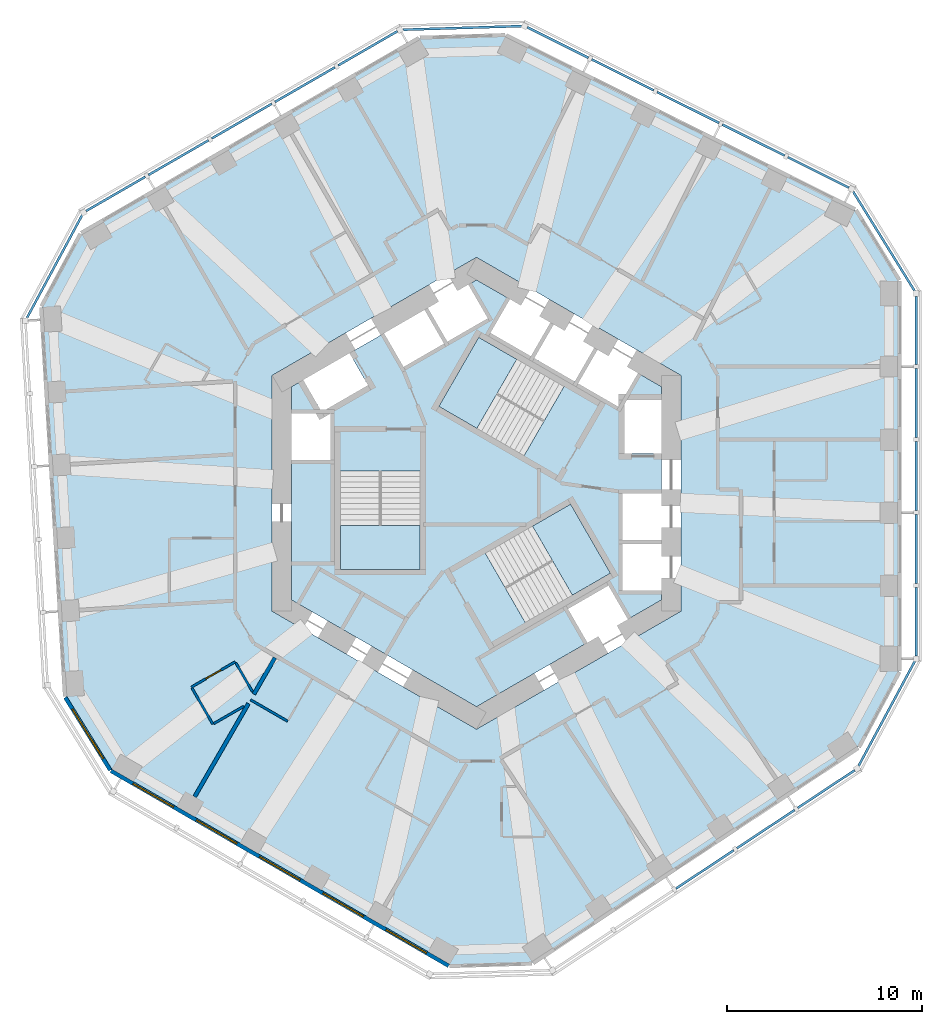
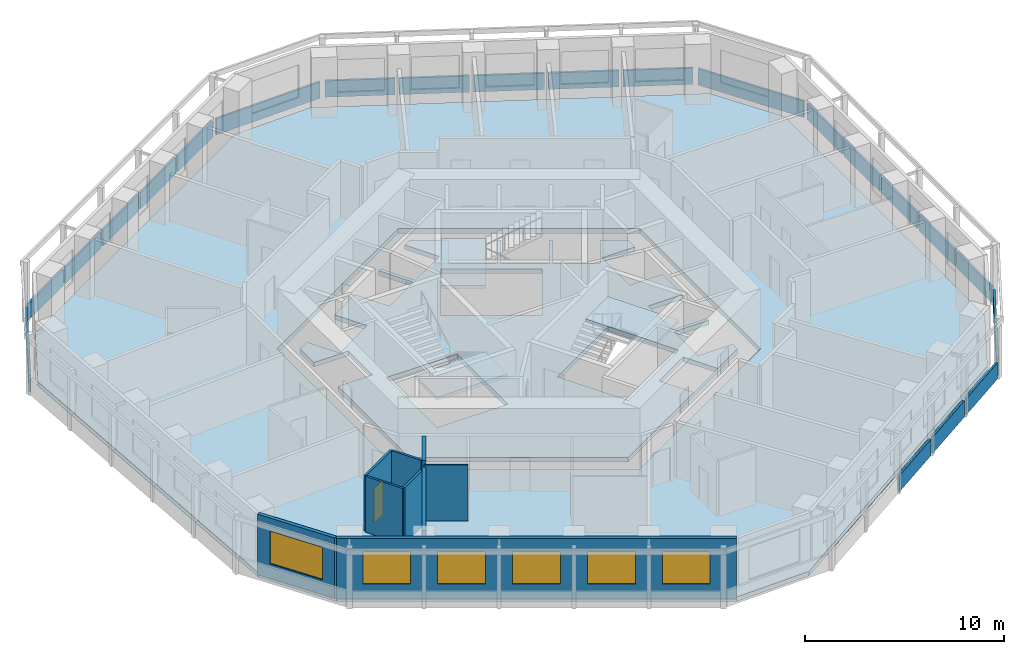
# One storey, part 3 of 11: 22 plates, 9 walls, 6 windows, 5 slabs, 1 door, 7 openings, 11 elements without a shape of their own.
"""IFC4 building model written with IfcOpenShell, lengths in metres."""

from ifc_helpers import new_model, si_unit, direction, frame, frame_2d, origin, origin_2d, place, context, subcontext, project, spatial, polyline, rectangle, outline, extrude, material, layer, layer_set, type_object, element, fill, aggregate, save


model = new_model("IFC4")

# Units and contexts
model_context = context("Model", 3, precision=1e-05, world=origin(), true_north=direction((0.0, 1.0)))
body_context = subcontext(model_context, "Body", "Model", "MODEL_VIEW")
ifc_project = project(units=[si_unit("LENGTHUNIT", "METRE"), si_unit("AREAUNIT", "SQUARE_METRE"), si_unit("VOLUMEUNIT", "CUBIC_METRE"), si_unit("PLANEANGLEUNIT", "RADIAN"), si_unit("MASSUNIT", "GRAM", prefix="KILO")], contexts=[model_context])

# Site, building, storey
site_placement = place(None, origin())
site = spatial("IfcSite", under=ifc_project, at=site_placement, CompositionType="ELEMENT")
building_placement = place(site_placement, origin())
building = spatial("IfcBuilding", under=site, at=building_placement, Name="Vanh Sen Convention Tower", CompositionType="ELEMENT")
storey_placement = place(building_placement, frame((0.0, 0.0, 131.800048828125)))
storey = spatial("IfcBuildingStorey", under=building, at=storey_placement, Name="L32", CompositionType="ELEMENT", Elevation=131.800048828125)

# Slabs
ifc_material_1 = material(Name="Concrete C40/50", Category="concrete")
ifc_layer_1 = layer(ifc_material_1, 0.280029296875)
ifc_layer_set_1 = layer_set([ifc_layer_1], Name="Concrete C40/50")
slab_type_1 = type_object("IfcSlabType", Name="Core slab 280", PredefinedType="FLOOR", material=ifc_layer_set_1)
slab_1_placement = place(storey_placement, frame((0.0, 0.0, -0.280029296875)))
element("IfcSlab", 1, at=slab_1_placement, inside=storey, type_object=slab_type_1, Name="Core slab L32", PredefinedType="FLOOR", context=body_context, shape_type="SweptSolid", body=[
    extrude(outline(polyline([(9.5, 5.48486328125), (9.5, 4.800048828125), (7.60009765625, 4.800048828125), (7.60009765625, 2.050048828125), (9.5, 2.050048828125), (9.5, 0.0), (7.5, 0.0), (7.5, -2.39990234375), (9.5, -2.39990234375), (9.5, -2.60009765625), (7.5, -2.60009765625), (7.5, -5.0), (9.5, -5.0), (9.5, -5.48486328125), (0.0, -10.9697265625), (-9.5, -5.48486328125), (-9.5, 1.699951171875), (-7.5, 1.699951171875), (-7.5, 4.10009765625), (-9.5, 4.10009765625), (-9.5, 5.48486328125), (-8.906982421875, 5.8271484375), (-7.956787109375, 4.181884765625), (-5.575439453125, 5.556884765625), (-6.525390625, 7.2021484375), (-4.75, 8.227294921875), (-3.75, 6.4951171875), (-1.67138671875, 7.6953125), (-2.67138671875, 9.42724609375), (-2.498291015625, 9.527099609375), (-1.498291015625, 7.795166015625), (0.580078125, 8.9951171875), (-0.419921875, 10.727294921875), (0.0, 10.9697265625), (1.718994140625, 9.977294921875), (0.718994140625, 8.2451171875), (2.79736328125, 7.045166015625), (3.79736328125, 8.777099609375), (3.970703125, 8.67724609375), (2.970703125, 6.9453125), (5.049072265625, 5.7451171875), (6.049072265625, 7.477294921875), (6.22216796875, 7.377197265625), (5.22216796875, 5.645263671875), (7.30078125, 4.4453125), (8.30078125, 6.17724609375), (9.5, 5.48486328125)]), holes=[polyline([(-7.0, 3.14990234375), (-7.0, -3.909912109375), (-2.89990234375, -3.909912109375), (-2.89990234375, 3.14990234375), (-2.89990234375, 1.1494140625), (-7.0, 1.1494140625), (-7.0, 3.14990234375)]), polyline([(4.495361328125, 5.487548828125), (6.22802734375, 4.4873046875), (0.11376953125, 8.01708984375), (-1.936279296875, 4.466552734375), (2.4453125, 1.936767578125), (4.495361328125, 5.487548828125)]), polyline([(7.781005859375, -6.477294921875), (6.781005859375, -4.7451171875), (4.70263671875, -5.9453125), (5.70263671875, -7.67724609375), (7.781005859375, -6.477294921875)]), polyline([(0.45458984375, -3.086181640625), (2.504638671875, -6.63671875), (6.88623046875, -4.107177734375), (4.836181640625, -0.556396484375), (-1.278076171875, -4.08642578125), (0.45458984375, -3.086181640625)])]), origin(), (0.0, 0.0, 1.0), 0.280029296875),
])
ifc_layer_2 = layer(ifc_material_1, 0.280029296875)
ifc_layer_set_2 = layer_set([ifc_layer_2], Name="Concrete C40/50")
slab_type_2 = type_object("IfcSlabType", Name="Floor slab 280 REI 120", PredefinedType="FLOOR", material=ifc_layer_set_2)
slab_2_placement = place(storey_placement, frame((0.0, 0.0, -0.280029296875)))
element("IfcSlab", 2, at=slab_2_placement, inside=storey, type_object=slab_type_2, Name="Floor slab L32 tower", PredefinedType="FLOOR", context=body_context, shape_type="SweptSolid", body=[
    extrude(outline(polyline([(21.699951171875, -9.15087890625), (21.699951171875, 10.91943359375), (19.454833984375, 14.5478515625), (1.492919921875, 23.503173828125), (-2.925048828125, 23.368408203125), (-20.306640625, 13.3330078125), (-22.326171875, 9.574462890625), (-21.100830078125, -10.458740234375), (-18.77490234375, -14.21728515625), (-1.393310546875, -24.25244140625), (2.871337890625, -24.122314453125), (19.60791015625, -13.04443359375), (21.699951171875, -9.15087890625)]), holes=[polyline([(0.0, 12.12451171875), (-10.5, 6.062255859375), (-10.5, -6.062255859375), (0.0, -12.12451171875), (10.5, -6.062255859375), (10.5, 6.062255859375), (0.0, 12.12451171875)])]), origin(), (0.0, 0.0, 1.0), 0.280029296875),
])

# Curtain wall, plates
ifc_material_2 = material(Name="Concrete C50/60", Category="concrete")
curtain_wall_type = type_object("IfcCurtainWallType", Name="Outer skin office zone", PredefinedType="NOTDEFINED", material=ifc_material_2)
curtain_wall_1_placement = place(storey_placement, origin())
curtain_wall_1 = element("IfcCurtainWall", 3, at=curtain_wall_1_placement, inside=storey, type_object=curtain_wall_type, Name="OUTER SKIN E L32", PredefinedType="NOTDEFINED")
ifc_layer_3 = layer(ifc_material_2, 0.1201171875)
ifc_layer_set_3 = layer_set([ifc_layer_3], Name="Concrete C50/60")
plate_type = type_object("IfcPlateType", Name="Outer skin precast screen panel 120", PredefinedType="CURTAIN_PANEL", material=ifc_layer_set_3)
plate_1_placement = place(storey_placement, frame((22.60009765625, -6.59912109375, 0.0), z_axis=(0.0, 0.0, 1.0), x_axis=(0.0, 1.0, 0.0)))
plate_1 = element("IfcPlate", 4, at=plate_1_placement, type_object=plate_type, Name="OUTER SKIN screen panel E-1", PredefinedType="CURTAIN_PANEL", context=body_context, shape_type="SweptSolid", body=[
    extrude(rectangle(XDim=3.504150390625, YDim=0.1201171875, at=origin_2d()), origin(), (0.0, 0.0, 1.0), 1.0),
])
plate_2_placement = place(storey_placement, frame((22.60009765625, -2.869873046875, 0.0), z_axis=(0.0, 0.0, 1.0), x_axis=(0.0, 1.0, 0.0)))
plate_2 = element("IfcPlate", 5, at=plate_2_placement, type_object=plate_type, Name="OUTER SKIN screen panel E-2", PredefinedType="CURTAIN_PANEL", context=body_context, shape_type="SweptSolid", body=[
    extrude(rectangle(XDim=3.55419921875, YDim=0.1201171875, at=origin_2d()), origin(), (0.0, 0.0, 1.0), 1.0),
])
plate_3_placement = place(storey_placement, frame((22.60009765625, 0.88427734375, 0.0), z_axis=(0.0, 0.0, 1.0), x_axis=(0.0, 1.0, 0.0)))
plate_3 = element("IfcPlate", 6, at=plate_3_placement, type_object=plate_type, Name="OUTER SKIN screen panel E-3", PredefinedType="CURTAIN_PANEL", context=body_context, shape_type="SweptSolid", body=[
    extrude(rectangle(XDim=3.55419921875, YDim=0.1201171875, at=origin_2d()), origin(), (0.0, 0.0, 1.0), 1.0),
])
plate_4_placement = place(storey_placement, frame((22.60009765625, 4.63818359375, 0.0), z_axis=(0.0, 0.0, 1.0), x_axis=(0.0, 1.0, 0.0)))
plate_4 = element("IfcPlate", 7, at=plate_4_placement, type_object=plate_type, Name="OUTER SKIN screen panel E-4", PredefinedType="CURTAIN_PANEL", context=body_context, shape_type="SweptSolid", body=[
    extrude(rectangle(XDim=3.55419921875, YDim=0.1201171875, at=origin_2d()), origin(), (0.0, 0.0, 1.0), 1.0),
])
plate_5_placement = place(storey_placement, frame((22.60009765625, 8.367431640625, 0.0), z_axis=(0.0, 0.0, 1.0), x_axis=(0.0, 1.0, 0.0)))
plate_5 = element("IfcPlate", 8, at=plate_5_placement, type_object=plate_type, Name="OUTER SKIN screen panel E-5", PredefinedType="CURTAIN_PANEL", context=body_context, shape_type="SweptSolid", body=[
    extrude(rectangle(XDim=3.504150390625, YDim=0.1201171875, at=origin_2d()), origin(), (0.0, 0.0, 1.0), 1.0),
])
aggregate(curtain_wall_1, [plate_1, plate_2, plate_3, plate_4, plate_5])

# Curtain wall, plate
curtain_wall_2_placement = place(storey_placement, origin())
curtain_wall_2 = element("IfcCurtainWall", 9, at=curtain_wall_2_placement, inside=storey, type_object=curtain_wall_type, Name="OUTER SKIN CH1 L32", PredefinedType="NOTDEFINED")
plate_6_placement = place(storey_placement, frame((20.937255859375, 12.956298828125, 0.0), z_axis=(0.0, 0.0, 1.0), x_axis=(-0.5262035346, 0.850358653848, 0.0)))
plate_6 = element("IfcPlate", 10, at=plate_6_placement, type_object=plate_type, Name="OUTER SKIN screen panel CH1-1", PredefinedType="CURTAIN_PANEL", context=body_context, shape_type="SweptSolid", body=[
    extrude(rectangle(XDim=6.01953125, YDim=0.1201171875, at=origin_2d()), origin(), (0.0, 0.0, 1.0), 1.0),
])
aggregate(curtain_wall_2, [plate_6])

# Curtain wall, plates
curtain_wall_3_placement = place(storey_placement, origin())
curtain_wall_3 = element("IfcCurtainWall", 11, at=curtain_wall_3_placement, inside=storey, type_object=curtain_wall_type, Name="OUTER SKIN NE L32", PredefinedType="NOTDEFINED")
plate_7_placement = place(storey_placement, frame((17.572509765625, 16.491943359375, 0.0), z_axis=(0.0, 0.0, 1.0), x_axis=(-0.894943706551, 0.446179069551, 0.0)))
plate_7 = element("IfcPlate", 12, at=plate_7_placement, type_object=plate_type, Name="OUTER SKIN screen panel NE-1", PredefinedType="CURTAIN_PANEL", context=body_context, shape_type="SweptSolid", body=[
    extrude(rectangle(XDim=3.504150390625, YDim=0.1201171875, at=origin_2d()), origin(), (0.0, 0.0, 1.0), 1.0),
])
plate_8_placement = place(storey_placement, frame((14.235107421875, 18.156005859375, 0.0), z_axis=(0.0, 0.0, 1.0), x_axis=(-0.894932804072, 0.446200937017, 0.0)))
plate_8 = element("IfcPlate", 13, at=plate_8_placement, type_object=plate_type, Name="OUTER SKIN screen panel NE-2", PredefinedType="CURTAIN_PANEL", context=body_context, shape_type="SweptSolid", body=[
    extrude(rectangle(XDim=3.55419921875, YDim=0.1201171875, at=origin_2d()), origin(), (0.0, 0.0, 1.0), 1.0),
])
plate_9_placement = place(storey_placement, frame((10.87548828125, 19.8310546875, 0.0), z_axis=(0.0, 0.0, 1.0), x_axis=(-0.894932804072, 0.446200937017, 0.0)))
plate_9 = element("IfcPlate", 14, at=plate_9_placement, type_object=plate_type, Name="OUTER SKIN screen panel NE-3", PredefinedType="CURTAIN_PANEL", context=body_context, shape_type="SweptSolid", body=[
    extrude(rectangle(XDim=3.55419921875, YDim=0.1201171875, at=origin_2d()), origin(), (0.0, 0.0, 1.0), 1.0),
])
plate_10_placement = place(storey_placement, frame((7.515625, 21.506103515625, 0.0), z_axis=(0.0, 0.0, 1.0), x_axis=(-0.894932804072, 0.446200937017, 0.0)))
plate_10 = element("IfcPlate", 15, at=plate_10_placement, type_object=plate_type, Name="OUTER SKIN screen panel NE-4", PredefinedType="CURTAIN_PANEL", context=body_context, shape_type="SweptSolid", body=[
    extrude(rectangle(XDim=3.55419921875, YDim=0.1201171875, at=origin_2d()), origin(), (0.0, 0.0, 1.0), 1.0),
])
plate_11_placement = place(storey_placement, frame((4.178466796875, 23.169921875, 0.0), z_axis=(0.0, 0.0, 1.0), x_axis=(-0.894943706551, 0.446179069551, 0.0)))
plate_11 = element("IfcPlate", 16, at=plate_11_placement, type_object=plate_type, Name="OUTER SKIN screen panel NE-5", PredefinedType="CURTAIN_PANEL", context=body_context, shape_type="SweptSolid", body=[
    extrude(rectangle(XDim=3.504150390625, YDim=0.1201171875, at=origin_2d()), origin(), (0.0, 0.0, 1.0), 1.0),
])
aggregate(curtain_wall_3, [plate_7, plate_8, plate_9, plate_10, plate_11])

# Curtain wall, plate
curtain_wall_4_placement = place(storey_placement, origin())
curtain_wall_4 = element("IfcCurtainWall", 17, at=curtain_wall_4_placement, inside=storey, type_object=curtain_wall_type, Name="OUTER SKIN CH2 L32", PredefinedType="NOTDEFINED")
plate_12_placement = place(storey_placement, frame((-0.73095703125, 23.920654296875, 0.0), z_axis=(0.0, 0.0, 1.0), x_axis=(-0.999533590837, -0.03053851321, 0.0)))
plate_12 = element("IfcPlate", 18, at=plate_12_placement, type_object=plate_type, Name="OUTER SKIN screen panel CH2-1", PredefinedType="CURTAIN_PANEL", context=body_context, shape_type="SweptSolid", body=[
    extrude(rectangle(XDim=6.1171875, YDim=0.1201171875, at=origin_2d()), origin(), (0.0, 0.0, 1.0), 1.0),
])
aggregate(curtain_wall_4, [plate_12])

# Curtain wall, plates
curtain_wall_5_placement = place(storey_placement, origin())
curtain_wall_5 = element("IfcCurtainWall", 19, at=curtain_wall_5_placement, inside=storey, type_object=curtain_wall_type, Name="OUTER SKIN NW L32", PredefinedType="NOTDEFINED")
plate_13_placement = place(storey_placement, frame((-5.585205078125, 22.87158203125, 0.0), z_axis=(0.0, 0.0, 1.0), x_axis=(-0.866035002936, -0.499983373414, 0.0)))
plate_13 = element("IfcPlate", 20, at=plate_13_placement, type_object=plate_type, Name="OUTER SKIN screen panel NW-1", PredefinedType="CURTAIN_PANEL", context=body_context, shape_type="SweptSolid", body=[
    extrude(rectangle(XDim=3.504150390625, YDim=0.1201171875, at=origin_2d()), origin(), (0.0, 0.0, 1.0), 1.0),
])
plate_14_placement = place(storey_placement, frame((-8.814697265625, 21.007080078125, 0.0), z_axis=(0.0, 0.0, 1.0), x_axis=(-0.866016677006, -0.500015114919, 0.0)))
plate_14 = element("IfcPlate", 21, at=plate_14_placement, type_object=plate_type, Name="OUTER SKIN screen panel NW-2", PredefinedType="CURTAIN_PANEL", context=body_context, shape_type="SweptSolid", body=[
    extrude(rectangle(XDim=3.55419921875, YDim=0.1201171875, at=origin_2d()), origin(), (0.0, 0.0, 1.0), 1.0),
])
plate_15_placement = place(storey_placement, frame((-12.06591796875, 19.1298828125, 0.0), z_axis=(0.0, 0.0, 1.0), x_axis=(-0.866035002936, -0.499983373414, 0.0)))
plate_15 = element("IfcPlate", 22, at=plate_15_placement, type_object=plate_type, Name="OUTER SKIN screen panel NW-3", PredefinedType="CURTAIN_PANEL", context=body_context, shape_type="SweptSolid", body=[
    extrude(rectangle(XDim=3.55419921875, YDim=0.1201171875, at=origin_2d()), origin(), (0.0, 0.0, 1.0), 1.0),
])
plate_16_placement = place(storey_placement, frame((-15.31689453125, 17.2529296875, 0.0), z_axis=(0.0, 0.0, 1.0), x_axis=(-0.866016677006, -0.500015114919, 0.0)))
plate_16 = element("IfcPlate", 23, at=plate_16_placement, type_object=plate_type, Name="OUTER SKIN screen panel NW-4", PredefinedType="CURTAIN_PANEL", context=body_context, shape_type="SweptSolid", body=[
    extrude(rectangle(XDim=3.55419921875, YDim=0.1201171875, at=origin_2d()), origin(), (0.0, 0.0, 1.0), 1.0),
])
plate_17_placement = place(storey_placement, frame((-18.54638671875, 15.388427734375, 0.0), z_axis=(0.0, 0.0, 1.0), x_axis=(-0.866035002936, -0.499983373414, 0.0)))
plate_17 = element("IfcPlate", 24, at=plate_17_placement, type_object=plate_type, Name="OUTER SKIN screen panel NW-5", PredefinedType="CURTAIN_PANEL", context=body_context, shape_type="SweptSolid", body=[
    extrude(rectangle(XDim=3.504150390625, YDim=0.1201171875, at=origin_2d()), origin(), (0.0, 0.0, 1.0), 1.0),
])
aggregate(curtain_wall_5, [plate_13, plate_14, plate_15, plate_16, plate_17])

# Curtain wall, plate
curtain_wall_6_placement = place(storey_placement, origin())
curtain_wall_6 = element("IfcCurtainWall", 25, at=curtain_wall_6_placement, inside=storey, type_object=curtain_wall_type, Name="OUTER SKIN CH3 L32", PredefinedType="NOTDEFINED")
plate_18_placement = place(storey_placement, frame((-21.689208984375, 11.654052734375, 0.0), z_axis=(0.0, 0.0, 1.0), x_axis=(-0.47331812974, -0.880891564303, 0.0)))
plate_18 = element("IfcPlate", 26, at=plate_18_placement, type_object=plate_type, Name="OUTER SKIN screen panel CH3-1", PredefinedType="CURTAIN_PANEL", context=body_context, shape_type="SweptSolid", body=[
    extrude(rectangle(XDim=6.019287109375, YDim=0.1201171875, at=origin_2d()), origin(), (0.0, 0.0, 1.0), 1.0),
])
aggregate(curtain_wall_6, [plate_18])

# Curtain wall, plates
curtain_wall_7_placement = place(storey_placement, origin())
curtain_wall_7 = element("IfcCurtainWall", 27, at=curtain_wall_7_placement, inside=storey, type_object=curtain_wall_type, Name="OUTER SKIN SE L32", PredefinedType="NOTDEFINED")
plate_19_placement = place(storey_placement, frame((11.736328125, -19.333984375, 0.0), z_axis=(0.0, 0.0, 1.0), x_axis=(0.833877152158, 0.551950083892, 0.0)))
plate_19 = element("IfcPlate", 28, at=plate_19_placement, type_object=plate_type, Name="OUTER SKIN screen panel SE-3", PredefinedType="CURTAIN_PANEL", context=body_context, shape_type="SweptSolid", body=[
    extrude(rectangle(XDim=3.55419921875, YDim=0.1201171875, at=origin_2d()), origin(), (0.0, 0.0, 1.0), 1.0),
])
plate_20_placement = place(storey_placement, frame((14.866943359375, -17.26171875, 0.0), z_axis=(0.0, 0.0, 1.0), x_axis=(0.833889675294, 0.551931163677, 0.0)))
plate_20 = element("IfcPlate", 29, at=plate_20_placement, type_object=plate_type, Name="OUTER SKIN screen panel SE-4", PredefinedType="CURTAIN_PANEL", context=body_context, shape_type="SweptSolid", body=[
    extrude(rectangle(XDim=3.55419921875, YDim=0.1201171875, at=origin_2d()), origin(), (0.0, 0.0, 1.0), 1.0),
])
plate_21_placement = place(storey_placement, frame((17.9765625, -15.20361328125, 0.0), z_axis=(0.0, 0.0, 1.0), x_axis=(0.833889675294, 0.551931163677, 0.0)))
plate_21 = element("IfcPlate", 30, at=plate_21_placement, type_object=plate_type, Name="OUTER SKIN screen panel SE-5", PredefinedType="CURTAIN_PANEL", context=body_context, shape_type="SweptSolid", body=[
    extrude(rectangle(XDim=3.504150390625, YDim=0.1201171875, at=origin_2d()), origin(), (0.0, 0.0, 1.0), 1.0),
])
aggregate(curtain_wall_7, [plate_19, plate_20, plate_21])

# Curtain wall, plate
curtain_wall_8_placement = place(storey_placement, origin())
curtain_wall_8 = element("IfcCurtainWall", 31, at=curtain_wall_8_placement, inside=storey, type_object=curtain_wall_type, Name="OUTER SKIN CH6 L32", PredefinedType="NOTDEFINED")
plate_22_placement = place(storey_placement, frame((21.081298828125, -11.327392578125, 0.0), z_axis=(0.0, 0.0, 1.0), x_axis=(0.473321204628, 0.880889912105, 0.0)))
plate_22 = element("IfcPlate", 32, at=plate_22_placement, type_object=plate_type, Name="OUTER SKIN screen panel CH6-1", PredefinedType="CURTAIN_PANEL", context=body_context, shape_type="SweptSolid", body=[
    extrude(rectangle(XDim=6.1171875, YDim=0.1201171875, at=origin_2d()), origin(), (0.0, 0.0, 1.0), 1.0),
])
aggregate(curtain_wall_8, [plate_22])

# Stair, slab
ifc_material_3 = material(Name="Concrete C50/60", Category="concrete")
stair_type_1 = type_object("IfcStairType", Name="Exit stair ST1 22 risers at 168.2", PredefinedType="HALF_TURN_STAIR", material=ifc_material_3)
stair_1_placement = place(storey_placement, origin())
stair_1 = element("IfcStair", 33, at=stair_1_placement, inside=storey, type_object=stair_type_1, Name="Exit stair ST1 L32", PredefinedType="HALF_TURN_STAIR")
ifc_layer_4 = layer(ifc_material_1, 0.199951171875)
ifc_layer_set_4 = layer_set([ifc_layer_4], Name="Concrete C40/50")
slab_type_3 = type_object("IfcSlabType", Name="Stair landing 200", PredefinedType="LANDING", material=ifc_layer_set_4)
slab_3_placement = place(storey_placement, frame((0.0, 0.0, 1.64990234375)))
slab_3 = element("IfcSlab", 34, at=slab_3_placement, type_object=slab_type_3, Name="ST1 landing 1", PredefinedType="LANDING", context=body_context, shape_type="SweptSolid", body=[
    extrude(outline(polyline([(2.07177734375, 6.88671875), (0.11376953125, 8.01708984375), (-1.936279296875, 4.466552734375), (0.021728515625, 3.336181640625), (2.07177734375, 6.88671875)])), origin(), (0.0, 0.0, 1.0), 0.199951171875),
])
aggregate(stair_1, [slab_3])

stair_type_2 = type_object("IfcStairType", Name="Exit stair ST2 22 risers at 168.2", PredefinedType="HALF_TURN_STAIR", material=ifc_material_3)
stair_2_placement = place(storey_placement, origin())
stair_2 = element("IfcStair", 35, at=stair_2_placement, inside=storey, type_object=stair_type_2, Name="Exit stair ST2 L32", PredefinedType="HALF_TURN_STAIR")
slab_4_placement = place(storey_placement, frame((0.0, 0.0, 1.64990234375)))
slab_4 = element("IfcSlab", 36, at=slab_4_placement, type_object=slab_type_3, Name="ST2 landing 1", PredefinedType="LANDING", context=body_context, shape_type="SweptSolid", body=[
    extrude(outline(polyline([(-7.0, -1.6494140625), (-7.0, -3.909912109375), (-2.89990234375, -3.909912109375), (-2.89990234375, -1.6494140625), (-7.0, -1.6494140625)])), origin(), (0.0, 0.0, 1.0), 0.199951171875),
])
aggregate(stair_2, [slab_4])

stair_type_3 = type_object("IfcStairType", Name="Exit stair ST3 22 risers at 168.2", PredefinedType="HALF_TURN_STAIR", material=ifc_material_3)
stair_3_placement = place(storey_placement, origin())
stair_3 = element("IfcStair", 37, at=stair_3_placement, inside=storey, type_object=stair_type_3, Name="Exit stair ST3 L32", PredefinedType="HALF_TURN_STAIR")
slab_5_placement = place(storey_placement, frame((0.0, 0.0, 1.64990234375)))
slab_5 = element("IfcSlab", 38, at=slab_5_placement, type_object=slab_type_3, Name="ST3 landing 1", PredefinedType="LANDING", context=body_context, shape_type="SweptSolid", body=[
    extrude(outline(polyline([(4.92822265625, -5.237548828125), (6.88623046875, -4.107177734375), (4.836181640625, -0.556396484375), (2.87841796875, -1.686767578125), (4.92822265625, -5.237548828125)])), origin(), (0.0, 0.0, 1.0), 0.199951171875),
])
aggregate(stair_3, [slab_5])

# Wall, opening, door
ifc_material_4 = material(Name="Moisture-resistant gypsum board on steel studs", Category="steel")
ifc_layer_5 = layer(ifc_material_4, 0.1201171875)
ifc_layer_set_5 = layer_set([ifc_layer_5], Name="Moisture-resistant gypsum board on steel studs")
wall_type_1 = type_object("IfcWallType", Name="Bathroom partition 120", PredefinedType="PARTITIONING", material=ifc_layer_set_5)
wall_1_placement = place(storey_placement, frame((-14.652587890625, -9.960693359375, 0.0), z_axis=(0.0, 0.0, 1.0), x_axis=(0.866021400173, 0.500006934395, 0.0)))
wall_1 = element("IfcWall", 39, at=wall_1_placement, inside=storey, type_object=wall_type_1, Name="Bathroom partition 120", PredefinedType="PARTITIONING", context=body_context, shape_type="SweptSolid", body=[
    extrude(rectangle(XDim=2.60009765625, YDim=0.1201171875, at=frame_2d((1.300048828125, 0.0))), origin(), (0.0, 0.0, 1.0), 3.419921875),
])
opening_1_placement = place(wall_1_placement, frame((0.85009765625, 0.0, 0.0)))
opening_1 = element("IfcOpeningElement", 40, at=opening_1_placement, cuts=wall_1, Name="Opening D32121", PredefinedType="OPENING", context=body_context, shape_type="SweptSolid", body=[
    extrude(rectangle(XDim=0.89990234375, YDim=2.10009765625, at=frame_2d((0.449951171875, 1.050048828125))), frame((0.0, 0.070068359375, 0.0), z_axis=(0.0, -1.0, 0.0), x_axis=(1.0, 0.0, 0.0)), (0.0, 0.0, 1.0), 0.14013671875),
])
ifc_material_5 = material(Name="Laminate door in steel frame", Category="steel")
door_type = type_object("IfcDoorType", Name="Room internal door 900", OperationType="SINGLE_SWING_LEFT", PredefinedType="DOOR", material=ifc_material_5)
door_placement = place(opening_1_placement, origin())
door = element("IfcDoor", 41, at=door_placement, inside=storey, type_object=door_type, Name="Internal room door D32121", OperationType="SINGLE_SWING_LEFT", OverallHeight=2.10009765625, OverallWidth=0.89990234375, PredefinedType="DOOR", context=body_context, shape_type="SweptSolid", body=[
    extrude(rectangle(XDim=0.89990234375, YDim=2.10009765625, at=frame_2d((0.449951171875, 1.050048828125))), frame((0.0, 0.02490234375, 0.0), z_axis=(0.0, -1.0, 0.0), x_axis=(1.0, 0.0, 0.0)), (0.0, 0.0, 1.0), 0.050048828125),
])
fill(opening_1, door)

# Walls
wall_2_placement = place(storey_placement, frame((-13.552490234375, -11.865966796875, 0.0), z_axis=(0.0, 0.0, 1.0), x_axis=(-0.500028586798, 0.86600889856, 0.0)))
element("IfcWall", 42, at=wall_2_placement, inside=storey, type_object=wall_type_1, Name="Bathroom partition 120", PredefinedType="PARTITIONING", context=body_context, shape_type="SweptSolid", body=[
    extrude(rectangle(XDim=2.139892578125, YDim=0.1201171875, at=frame_2d((1.06982421875, 0.0))), origin(), (0.0, 0.0, 1.0), 3.419921875),
])
wall_3_placement = place(storey_placement, frame((-12.370849609375, -8.712646484375, 0.0), z_axis=(0.0, 0.0, 1.0), x_axis=(0.499910907645, -0.86607683517, 0.0)))
element("IfcWall", 43, at=wall_3_placement, inside=storey, type_object=wall_type_1, Name="Bathroom partition 120", PredefinedType="PARTITIONING", context=body_context, shape_type="SweptSolid", body=[
    extrude(rectangle(XDim=1.719482421875, YDim=0.1201171875, at=frame_2d((0.85986328125, 0.0))), origin(), (0.0, 0.0, 1.0), 3.419921875),
])
wall_4_placement = place(storey_placement, frame((-11.96435546875, -10.948974609375, 0.0), z_axis=(0.0, 0.0, 1.0), x_axis=(-0.86600680221, -0.500032217487, 0.0)))
element("IfcWall", 44, at=wall_4_placement, inside=storey, type_object=wall_type_1, Name="Bathroom partition 120", PredefinedType="PARTITIONING", context=body_context, shape_type="SweptSolid", body=[
    extrude(rectangle(XDim=1.77392578125, YDim=0.1201171875, at=frame_2d((0.886962890625, 0.0))), origin(), (0.0, 0.0, 1.0), 3.419921875),
])
wall_5_placement = place(storey_placement, frame((-9.705810546875, -11.717041015625, 0.0), z_axis=(0.0, 0.0, 1.0), x_axis=(-0.86598042715, 0.500077893725, 0.0)))
element("IfcWall", 45, at=wall_5_placement, inside=storey, type_object=wall_type_1, Name="Bathroom partition 120", PredefinedType="PARTITIONING", context=body_context, shape_type="SweptSolid", body=[
    extrude(rectangle(XDim=2.199951171875, YDim=0.1201171875, at=frame_2d((1.10009765625, 0.0))), origin(), (0.0, 0.0, 1.0), 3.419921875),
])

# Wall, opening, window
ifc_material_6 = material(Name="Insulated lightweight infill wall")
ifc_layer_6 = layer(ifc_material_6, 0.199951171875)
ifc_layer_set_6 = layer_set([ifc_layer_6], Name="Insulated lightweight infill wall")
wall_type_2 = type_object("IfcWallType", Name="External wall 200", PredefinedType="STANDARD", material=ifc_layer_set_6)
wall_6_placement = place(storey_placement, frame((-21.13671875, -10.49560546875, 0.0), z_axis=(0.0, 0.0, 1.0), x_axis=(0.526178661629, -0.850374044786, 0.0)))
wall_6 = element("IfcWall", 46, at=wall_6_placement, inside=storey, type_object=wall_type_2, Name="External wall CH4 L32", PredefinedType="STANDARD", context=body_context, shape_type="SweptSolid", body=[
    extrude(rectangle(XDim=4.394775390625, YDim=0.199951171875, at=frame_2d((2.197265625, 0.0))), origin(), (0.0, 0.0, 1.0), 3.699951171875),
])
opening_2_placement = place(wall_6_placement, frame((0.697509765625, 0.0, 0.89990234375)))
opening_2 = element("IfcOpeningElement", 47, at=opening_2_placement, cuts=wall_6, Name="Opening WO2-CH41", PredefinedType="OPENING", context=body_context, shape_type="SweptSolid", body=[
    extrude(rectangle(XDim=3.0, YDim=2.0, at=frame_2d((1.5, 1.0))), frame((0.0, 0.10986328125, 0.0), z_axis=(0.0, -1.0, 0.0), x_axis=(1.0, 0.0, 0.0)), (0.0, 0.0, 1.0), 0.219970703125),
])
ifc_material_7 = material(Name="Aluminium frame with clear low-emissivity glass", Category="aluminium")
window_type_1 = type_object("IfcWindowType", Name="Office window 3000 x 2000", PartitioningType="SINGLE_PANEL", PredefinedType="WINDOW", material=ifc_material_7)
window_1_placement = place(opening_2_placement, origin())
window_1 = element("IfcWindow", 48, at=window_1_placement, inside=storey, type_object=window_type_1, Name="Window WO2-CH41", OverallHeight=2.0, OverallWidth=3.0, PartitioningType="SINGLE_PANEL", PredefinedType="WINDOW", context=body_context, shape_type="SweptSolid", body=[
    extrude(rectangle(XDim=3.0, YDim=2.0, at=frame_2d((1.5, 1.0))), frame((0.0, 0.030029296875, 0.0), z_axis=(0.0, -1.0, 0.0), x_axis=(1.0, 0.0, 0.0)), (0.0, 0.0, 1.0), 0.06005859375),
])
fill(opening_2, window_1)

# Wall, openings, windows
wall_7_placement = place(storey_placement, frame((-18.7890625, -14.266845703125, 0.0), z_axis=(0.0, 0.0, 1.0), x_axis=(0.866023315909, -0.500003616288, 0.0)))
wall_7 = element("IfcWall", 49, at=wall_7_placement, inside=storey, type_object=wall_type_2, Name="External wall SW L32", PredefinedType="STANDARD", context=body_context, shape_type="SweptSolid", body=[
    extrude(rectangle(XDim=20.043701171875, YDim=0.199951171875, at=frame_2d((10.02197265625, 0.0))), origin(), (0.0, 0.0, 1.0), 3.699951171875),
])
opening_3_placement = place(wall_7_placement, frame((1.314453125, 0.0, 0.89990234375)))
opening_3 = element("IfcOpeningElement", 50, at=opening_3_placement, cuts=wall_7, Name="Opening WO1-SW1", PredefinedType="OPENING", context=body_context, shape_type="SweptSolid", body=[
    extrude(rectangle(XDim=2.39990234375, YDim=2.0, at=frame_2d((1.199951171875, 1.0))), frame((0.0, 0.10986328125, 0.0), z_axis=(0.0, -1.0, 0.0), x_axis=(1.0, 0.0, 0.0)), (0.0, 0.0, 1.0), 0.219970703125),
])
opening_4_placement = place(wall_7_placement, frame((5.068603515625, 0.0, 0.89990234375)))
opening_4 = element("IfcOpeningElement", 51, at=opening_4_placement, cuts=wall_7, Name="Opening WO1-SW2", PredefinedType="OPENING", context=body_context, shape_type="SweptSolid", body=[
    extrude(rectangle(XDim=2.39990234375, YDim=2.0, at=frame_2d((1.199951171875, 1.0))), frame((0.0, 0.10986328125, 0.0), z_axis=(0.0, -1.0, 0.0), x_axis=(1.0, 0.0, 0.0)), (0.0, 0.0, 1.0), 0.219970703125),
])
opening_5_placement = place(wall_7_placement, frame((8.82275390625, 0.0, 0.89990234375)))
opening_5 = element("IfcOpeningElement", 52, at=opening_5_placement, cuts=wall_7, Name="Opening WO1-SW3", PredefinedType="OPENING", context=body_context, shape_type="SweptSolid", body=[
    extrude(rectangle(XDim=2.39990234375, YDim=2.0, at=frame_2d((1.199951171875, 1.0))), frame((0.0, 0.10986328125, 0.0), z_axis=(0.0, -1.0, 0.0), x_axis=(1.0, 0.0, 0.0)), (0.0, 0.0, 1.0), 0.219970703125),
])
opening_6_placement = place(wall_7_placement, frame((12.576904296875, 0.0, 0.89990234375)))
opening_6 = element("IfcOpeningElement", 53, at=opening_6_placement, cuts=wall_7, Name="Opening WO1-SW4", PredefinedType="OPENING", context=body_context, shape_type="SweptSolid", body=[
    extrude(rectangle(XDim=2.39990234375, YDim=2.0, at=frame_2d((1.199951171875, 1.0))), frame((0.0, 0.10986328125, 0.0), z_axis=(0.0, -1.0, 0.0), x_axis=(1.0, 0.0, 0.0)), (0.0, 0.0, 1.0), 0.219970703125),
])
opening_7_placement = place(wall_7_placement, frame((16.330810546875, 0.0, 0.89990234375)))
opening_7 = element("IfcOpeningElement", 54, at=opening_7_placement, cuts=wall_7, Name="Opening WO1-SW5", PredefinedType="OPENING", context=body_context, shape_type="SweptSolid", body=[
    extrude(rectangle(XDim=2.39990234375, YDim=2.0, at=frame_2d((1.199951171875, 1.0))), frame((0.0, 0.10986328125, 0.0), z_axis=(0.0, -1.0, 0.0), x_axis=(1.0, 0.0, 0.0)), (0.0, 0.0, 1.0), 0.219970703125),
])
window_type_2 = type_object("IfcWindowType", Name="Office window 2400 x 2000", PartitioningType="SINGLE_PANEL", PredefinedType="WINDOW", material=ifc_material_7)
window_2_placement = place(opening_3_placement, origin())
window_2 = element("IfcWindow", 55, at=window_2_placement, inside=storey, type_object=window_type_2, Name="Window WO1-SW1", OverallHeight=2.0, OverallWidth=2.39990234375, PartitioningType="SINGLE_PANEL", PredefinedType="WINDOW", context=body_context, shape_type="SweptSolid", body=[
    extrude(rectangle(XDim=2.39990234375, YDim=2.0, at=frame_2d((1.199951171875, 1.0))), frame((0.0, 0.030029296875, 0.0), z_axis=(0.0, -1.0, 0.0), x_axis=(1.0, 0.0, 0.0)), (0.0, 0.0, 1.0), 0.06005859375),
])
fill(opening_3, window_2)
window_3_placement = place(opening_4_placement, origin())
window_3 = element("IfcWindow", 56, at=window_3_placement, inside=storey, type_object=window_type_2, Name="Window WO1-SW2", OverallHeight=2.0, OverallWidth=2.39990234375, PartitioningType="SINGLE_PANEL", PredefinedType="WINDOW", context=body_context, shape_type="SweptSolid", body=[
    extrude(rectangle(XDim=2.39990234375, YDim=2.0, at=frame_2d((1.199951171875, 1.0))), frame((0.0, 0.030029296875, 0.0), z_axis=(0.0, -1.0, 0.0), x_axis=(1.0, 0.0, 0.0)), (0.0, 0.0, 1.0), 0.06005859375),
])
fill(opening_4, window_3)
window_4_placement = place(opening_5_placement, origin())
window_4 = element("IfcWindow", 57, at=window_4_placement, inside=storey, type_object=window_type_2, Name="Window WO1-SW3", OverallHeight=2.0, OverallWidth=2.39990234375, PartitioningType="SINGLE_PANEL", PredefinedType="WINDOW", context=body_context, shape_type="SweptSolid", body=[
    extrude(rectangle(XDim=2.39990234375, YDim=2.0, at=frame_2d((1.199951171875, 1.0))), frame((0.0, 0.030029296875, 0.0), z_axis=(0.0, -1.0, 0.0), x_axis=(1.0, 0.0, 0.0)), (0.0, 0.0, 1.0), 0.06005859375),
])
fill(opening_5, window_4)
window_5_placement = place(opening_6_placement, origin())
window_5 = element("IfcWindow", 58, at=window_5_placement, inside=storey, type_object=window_type_2, Name="Window WO1-SW4", OverallHeight=2.0, OverallWidth=2.39990234375, PartitioningType="SINGLE_PANEL", PredefinedType="WINDOW", context=body_context, shape_type="SweptSolid", body=[
    extrude(rectangle(XDim=2.39990234375, YDim=2.0, at=frame_2d((1.199951171875, 1.0))), frame((0.0, 0.030029296875, 0.0), z_axis=(0.0, -1.0, 0.0), x_axis=(1.0, 0.0, 0.0)), (0.0, 0.0, 1.0), 0.06005859375),
])
fill(opening_6, window_5)
window_6_placement = place(opening_7_placement, origin())
window_6 = element("IfcWindow", 59, at=window_6_placement, inside=storey, type_object=window_type_2, Name="Window WO1-SW5", OverallHeight=2.0, OverallWidth=2.39990234375, PartitioningType="SINGLE_PANEL", PredefinedType="WINDOW", context=body_context, shape_type="SweptSolid", body=[
    extrude(rectangle(XDim=2.39990234375, YDim=2.0, at=frame_2d((1.199951171875, 1.0))), frame((0.0, 0.030029296875, 0.0), z_axis=(0.0, -1.0, 0.0), x_axis=(1.0, 0.0, 0.0)), (0.0, 0.0, 1.0), 0.06005859375),
])
fill(opening_7, window_6)

# Walls
ifc_material_8 = material(Name="Gypsum board on steel studs with mineral wool", Category="steel")
ifc_layer_7 = layer(ifc_material_8, 0.199951171875)
ifc_layer_set_7 = layer_set([ifc_layer_7], Name="Gypsum board on steel studs with mineral wool")
wall_type_3 = type_object("IfcWallType", Name="Tenant suite wall 200", PredefinedType="PARTITIONING", material=ifc_layer_set_7)
wall_8_placement = place(storey_placement, frame((-14.48583984375, -15.5966796875, 0.0), z_axis=(0.0, 0.0, 1.0), x_axis=(0.500003965547, 0.866023114263, 0.0)))
element("IfcWall", 60, at=wall_8_placement, inside=storey, type_object=wall_type_3, Name="Tenant suite wall 200", PredefinedType="PARTITIONING", context=body_context, shape_type="SweptSolid", body=[
    extrude(rectangle(XDim=5.5302734375, YDim=0.199951171875, at=frame_2d((2.76513671875, 0.0))), origin(), (0.0, 0.0, 1.0), 3.419921875),
])
wall_9_placement = place(storey_placement, frame((-11.442138671875, -10.32470703125, 0.0), z_axis=(0.0, 0.0, 1.0), x_axis=(0.500012369163, 0.866018262327, 0.0)))
element("IfcWall", 61, at=wall_9_placement, inside=storey, type_object=wall_type_3, Name="Tenant suite wall 200", PredefinedType="PARTITIONING", context=body_context, shape_type="SweptSolid", body=[
    extrude(rectangle(XDim=2.16259765625, YDim=0.199951171875, at=frame_2d((1.081298828125, 0.0))), origin(), (0.0, 0.0, 1.0), 3.419921875),
])

save(model, "model.ifc")
